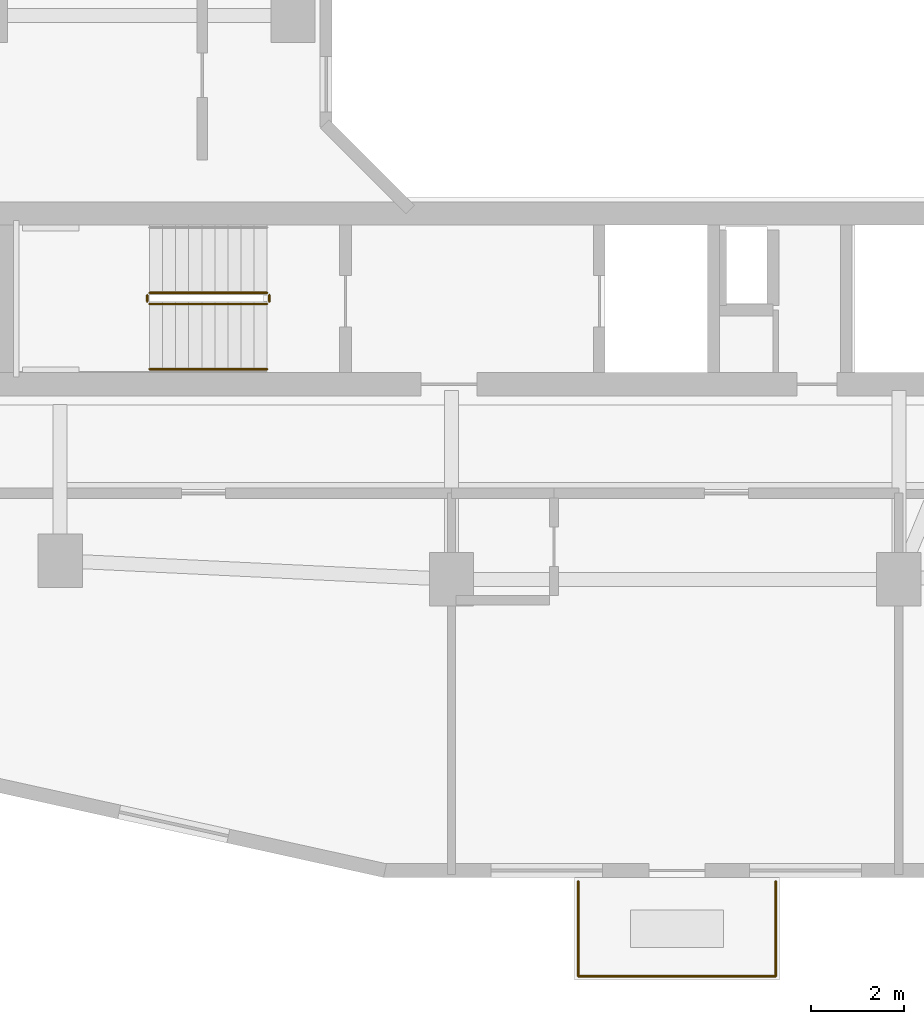
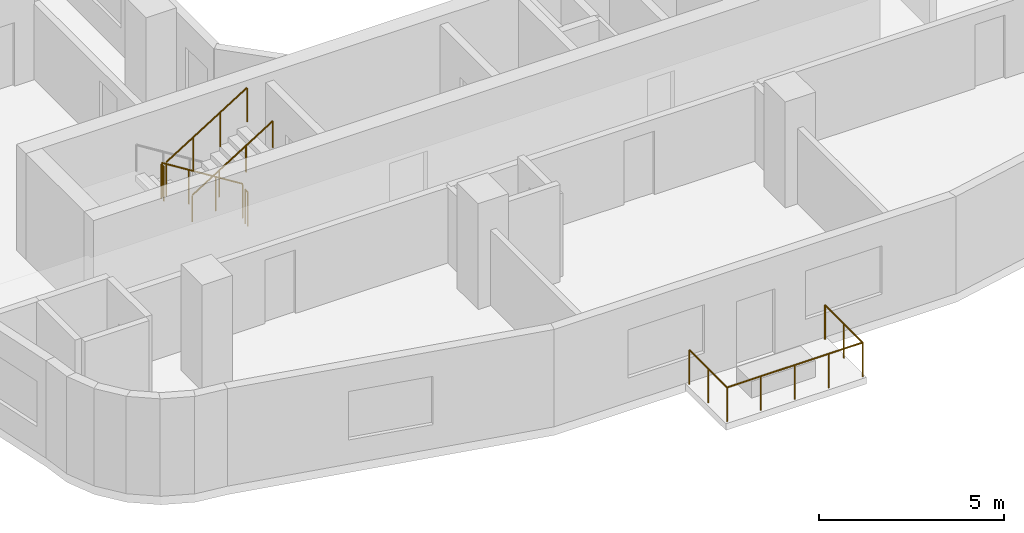
# One storey, part 18 of 22: 8 railings.
"""IFC4 building model written with IfcOpenShell, lengths in metres."""

from ifc_helpers import new_model, si_unit, derived_unit, direction, frame, origin, origin_2d, place, context, subcontext, project, spatial, circle, extrude, material, type_object, element, save


model = new_model("IFC4")

# Units and contexts
model_context = context("Model", 3, precision=1e-05, world=origin(), true_north=direction((0.0, 1.0)))
body_context = subcontext(model_context, "Body", "Model", "MODEL_VIEW")
ifc_project = project(units=[si_unit("LENGTHUNIT", "METRE"), si_unit("AREAUNIT", "SQUARE_METRE"), si_unit("VOLUMEUNIT", "CUBIC_METRE"), si_unit("PLANEANGLEUNIT", "RADIAN"), si_unit("MASSUNIT", "GRAM", prefix="KILO"), derived_unit("THERMALTRANSMITTANCEUNIT", [(si_unit("POWERUNIT", "WATT"), 1), (si_unit("LENGTHUNIT", "METRE"), -2), (si_unit("THERMODYNAMICTEMPERATUREUNIT", "KELVIN"), -1)])], contexts=[model_context])

# Site, building, storey
site_placement = place(None, origin())
site = spatial("IfcSite", under=ifc_project, at=site_placement, CompositionType="ELEMENT")
building_placement = place(site_placement, origin())
building = spatial("IfcBuilding", under=site, at=building_placement, Name="Kivonza Crest Hotel", CompositionType="ELEMENT")
storey_placement = place(building_placement, frame((0.0, 0.0, 69.5)))
storey = spatial("IfcBuildingStorey", under=building, at=storey_placement, Name="L18", CompositionType="ELEMENT", Elevation=69.5)

# Railings
ifc_material_1 = material(Name="Brushed stainless steel handrail", Category="steel")
railing_type_1 = type_object("IfcRailingType", Name="RL-HAND-900", PredefinedType="HANDRAIL", material=ifc_material_1)
railing_1_placement = place(storey_placement, frame((9.719970703125, 13.909912109375, 1.925048828125)))
element("IfcRailing", 1, at=railing_1_placement, inside=storey, type_object=railing_type_1, Name="L18 ST-T1-S stair handrail 2", PredefinedType="HANDRAIL", context=body_context, shape_type="SweptSolid", body=[
    extrude(circle(Radius=0.02392578125, at=origin_2d()), frame((0.0, 0.0, 0.8759765625), z_axis=(0.848007534815, 0.0, 0.529984170421), x_axis=(0.0, 1.0, 0.0)), (0.0, 0.0, 1.0), 2.9716796875),
    extrude(circle(Radius=0.02099609375, at=origin_2d()), origin(), (0.0, 0.0, 1.0), 0.851806640625),
    extrude(circle(Radius=0.02099609375, at=origin_2d()), frame((0.840087890625, 0.0, 0.52490234375)), (0.0, 0.0, 1.0), 0.851806640625),
    extrude(circle(Radius=0.02099609375, at=origin_2d()), frame((1.679931640625, 0.0, 1.050048828125)), (0.0, 0.0, 1.0), 0.851806640625),
    extrude(circle(Radius=0.02099609375, at=origin_2d()), frame((2.52001953125, 0.0, 1.574951171875)), (0.0, 0.0, 1.0), 0.851806640625),
])
ifc_material_2 = material(Name="Painted steel balustrade", Category="steel")
railing_type_2 = type_object("IfcRailingType", Name="RL-STAIR-1150", PredefinedType="BALUSTRADE", material=ifc_material_2)
railing_2_placement = place(storey_placement, frame((12.239990234375, 15.550048828125, 0.175048828125)))
element("IfcRailing", 2, at=railing_2_placement, inside=storey, type_object=railing_type_2, Name="L18 ST-T1-S stair guard 1", PredefinedType="BALUSTRADE", context=body_context, shape_type="SweptSolid", body=[
    extrude(circle(Radius=0.02392578125, at=origin_2d()), frame((0.0, 0.0, 1.1259765625), z_axis=(-0.848007534815, 0.0, 0.529984170421), x_axis=(0.0, -1.0, 0.0)), (0.0, 0.0, 1.0), 2.9716796875),
    extrude(circle(Radius=0.02099609375, at=origin_2d()), origin(), (0.0, 0.0, 1.0), 1.101806640625),
    extrude(circle(Radius=0.02099609375, at=origin_2d()), frame((-0.840087890625, 0.0, 0.52490234375)), (0.0, 0.0, 1.0), 1.101806640625),
    extrude(circle(Radius=0.02099609375, at=origin_2d()), frame((-1.679931640625, 0.0, 1.050048828125)), (0.0, 0.0, 1.0), 1.101806640625),
    extrude(circle(Radius=0.02099609375, at=origin_2d()), frame((-2.52001953125, 0.0, 1.574951171875)), (0.0, 0.0, 1.0), 1.101806640625),
])
railing_3_placement = place(storey_placement, frame((9.669921875, 15.5, 1.75)))
element("IfcRailing", 3, at=railing_3_placement, inside=storey, type_object=railing_type_2, Name="L18 ST-T1-S stair guard 2", PredefinedType="BALUSTRADE", context=body_context, shape_type="SweptSolid", body=[
    extrude(circle(Radius=0.02392578125, at=origin_2d()), frame((0.0, 0.0, 1.1259765625), z_axis=(0.0, -1.0, 0.0), x_axis=(1.0, 0.0, 0.0)), (0.0, 0.0, 1.0), 0.139892578125),
    extrude(circle(Radius=0.02099609375, at=origin_2d()), origin(), (0.0, 0.0, 1.0), 1.101806640625),
    extrude(circle(Radius=0.02099609375, at=origin_2d()), frame((0.0, -0.139892578125, 0.0)), (0.0, 0.0, 1.0), 1.101806640625),
])
railing_4_placement = place(storey_placement, frame((9.719970703125, 15.31005859375, 1.925048828125)))
element("IfcRailing", 4, at=railing_4_placement, inside=storey, type_object=railing_type_2, Name="L18 ST-T1-S stair guard 3", PredefinedType="BALUSTRADE", context=body_context, shape_type="SweptSolid", body=[
    extrude(circle(Radius=0.02392578125, at=origin_2d()), frame((0.0, 0.0, 1.1259765625), z_axis=(0.848007534815, 0.0, 0.529984170421), x_axis=(0.0, 1.0, 0.0)), (0.0, 0.0, 1.0), 2.9716796875),
    extrude(circle(Radius=0.02099609375, at=origin_2d()), origin(), (0.0, 0.0, 1.0), 1.101806640625),
    extrude(circle(Radius=0.02099609375, at=origin_2d()), frame((0.840087890625, 0.0, 0.52490234375)), (0.0, 0.0, 1.0), 1.101806640625),
    extrude(circle(Radius=0.02099609375, at=origin_2d()), frame((1.679931640625, 0.0, 1.050048828125)), (0.0, 0.0, 1.0), 1.101806640625),
    extrude(circle(Radius=0.02099609375, at=origin_2d()), frame((2.52001953125, 0.0, 1.574951171875)), (0.0, 0.0, 1.0), 1.101806640625),
])
railing_5_placement = place(storey_placement, frame((12.2900390625, 15.5, 0.0)))
element("IfcRailing", 5, at=railing_5_placement, inside=storey, type_object=railing_type_2, Name="L18 ST-T1-S stair guard 4", PredefinedType="BALUSTRADE", context=body_context, shape_type="SweptSolid", body=[
    extrude(circle(Radius=0.02392578125, at=origin_2d()), frame((0.0, 0.0, 1.1259765625), z_axis=(0.0, -1.0, 0.0), x_axis=(1.0, 0.0, 0.0)), (0.0, 0.0, 1.0), 0.139892578125),
    extrude(circle(Radius=0.02099609375, at=origin_2d()), origin(), (0.0, 0.0, 1.0), 1.101806640625),
    extrude(circle(Radius=0.02099609375, at=origin_2d()), frame((0.0, -0.139892578125, 0.0)), (0.0, 0.0, 1.0), 1.101806640625),
])
ifc_material_3 = material(Name="Laminated glass and stainless steel balustrade", Category="steel")
railing_type_3 = type_object("IfcRailingType", Name="RL-TERR-1150", PredefinedType="BALUSTRADE", material=ifc_material_3)
railing_6_placement = place(storey_placement, frame((18.919921875, 0.8798828125, 0.0)))
element("IfcRailing", 6, at=railing_6_placement, inside=storey, type_object=railing_type_3, Name="L18 T1-L18-SG-SW perimeter safety balustrade 1", PredefinedType="BALUSTRADE", context=body_context, shape_type="SweptSolid", body=[
    extrude(circle(Radius=0.02392578125, at=origin_2d()), frame((0.0, 0.0, 1.1259765625), z_axis=(0.0, 1.0, 0.0), x_axis=(-1.0, 0.0, 0.0)), (0.0, 0.0, 1.0), 2.0400390625),
    extrude(circle(Radius=0.02099609375, at=origin_2d()), origin(), (0.0, 0.0, 1.0), 1.101806640625),
    extrude(circle(Radius=0.02099609375, at=origin_2d()), frame((0.0, 1.02001953125, 0.0)), (0.0, 0.0, 1.0), 1.101806640625),
    extrude(circle(Radius=0.02099609375, at=origin_2d()), frame((0.0, 2.0400390625, 0.0)), (0.0, 0.0, 1.0), 1.101806640625),
])
railing_7_placement = place(storey_placement, frame((23.159912109375, 2.919921875, 0.0)))
element("IfcRailing", 7, at=railing_7_placement, inside=storey, type_object=railing_type_3, Name="L18 T1-L18-SG-SW perimeter safety balustrade 2", PredefinedType="BALUSTRADE", context=body_context, shape_type="SweptSolid", body=[
    extrude(circle(Radius=0.02392578125, at=origin_2d()), frame((0.0, 0.0, 1.1259765625), z_axis=(0.0, -1.0, 0.0), x_axis=(1.0, 0.0, 0.0)), (0.0, 0.0, 1.0), 2.0400390625),
    extrude(circle(Radius=0.02099609375, at=origin_2d()), origin(), (0.0, 0.0, 1.0), 1.101806640625),
    extrude(circle(Radius=0.02099609375, at=origin_2d()), frame((0.0, -1.02001953125, 0.0)), (0.0, 0.0, 1.0), 1.101806640625),
    extrude(circle(Radius=0.02099609375, at=origin_2d()), frame((0.0, -2.0400390625, 0.0)), (0.0, 0.0, 1.0), 1.101806640625),
])
railing_8_placement = place(storey_placement, frame((23.159912109375, 0.8798828125, 0.0)))
element("IfcRailing", 8, at=railing_8_placement, inside=storey, type_object=railing_type_3, Name="L18 T1-L18-SG-SW perimeter safety balustrade 3", PredefinedType="BALUSTRADE", context=body_context, shape_type="SweptSolid", body=[
    extrude(circle(Radius=0.02392578125, at=origin_2d()), frame((0.0, 0.0, 1.1259765625), z_axis=(-1.0, 0.0, 0.0), x_axis=(0.0, -1.0, 0.0)), (0.0, 0.0, 1.0), 4.239990234375),
    extrude(circle(Radius=0.02099609375, at=origin_2d()), origin(), (0.0, 0.0, 1.0), 1.101806640625),
    extrude(circle(Radius=0.02099609375, at=origin_2d()), frame((-1.06005859375, 0.0, 0.0)), (0.0, 0.0, 1.0), 1.101806640625),
    extrude(circle(Radius=0.02099609375, at=origin_2d()), frame((-2.1201171875, 0.0, 0.0)), (0.0, 0.0, 1.0), 1.101806640625),
    extrude(circle(Radius=0.02099609375, at=origin_2d()), frame((-3.179931640625, 0.0, 0.0)), (0.0, 0.0, 1.0), 1.101806640625),
    extrude(circle(Radius=0.02099609375, at=origin_2d()), frame((-4.239990234375, 0.0, 0.0)), (0.0, 0.0, 1.0), 1.101806640625),
])

save(model, "model.ifc")
